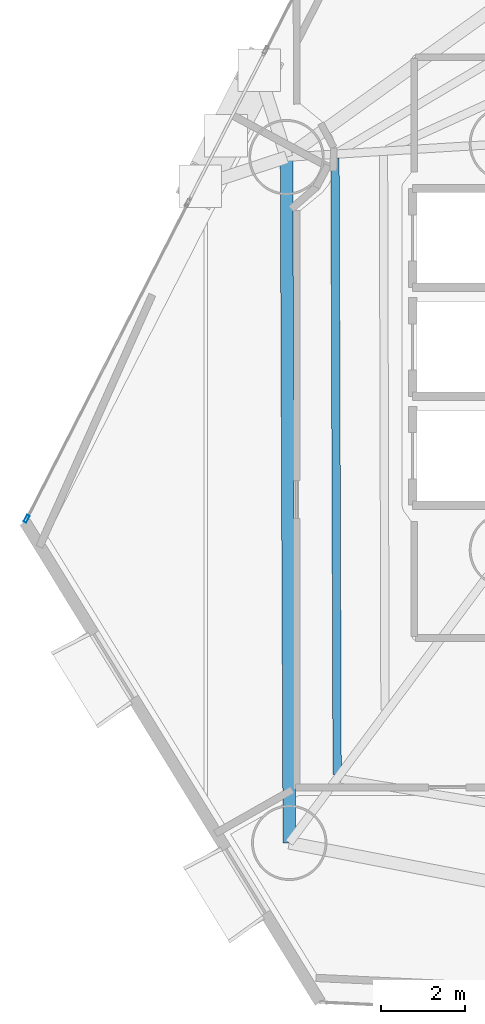
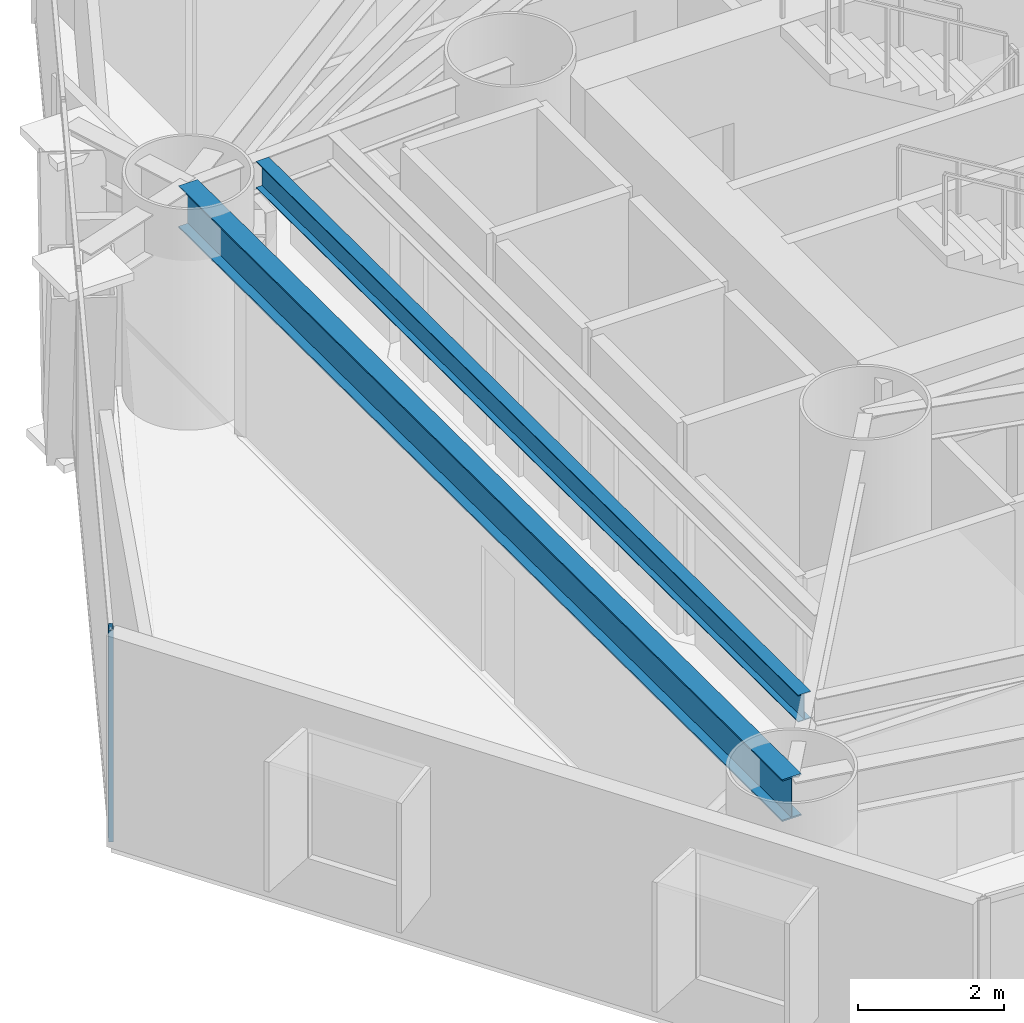
# One storey, part 3 of 23: 2 beams, 1 member, 1 element without a shape of its own.
"""IFC4 building model written with IfcOpenShell, lengths in metres."""

from ifc_helpers import new_model, si_unit, direction, frame, origin, origin_2d, place, context, subcontext, project, spatial, hollow_rectangle, i_section, extrude, material, layer, layer_set, material_profile, profile_set, type_object, element, aggregate, save


model = new_model("IFC4")

# Units and contexts
model_context = context("Model", 3, precision=1e-05, world=origin(), true_north=direction((0.0, 1.0)))
body_context = subcontext(model_context, "Body", "Model", "MODEL_VIEW")
ifc_project = project(units=[si_unit("LENGTHUNIT", "METRE"), si_unit("AREAUNIT", "SQUARE_METRE"), si_unit("VOLUMEUNIT", "CUBIC_METRE"), si_unit("PLANEANGLEUNIT", "RADIAN"), si_unit("MASSUNIT", "GRAM", prefix="KILO")], contexts=[model_context])

# Site, building, storey
site_placement = place(None, origin())
site = spatial("IfcSite", under=ifc_project, at=site_placement, CompositionType="ELEMENT")
building_placement = place(site_placement, origin())
building = spatial("IfcBuilding", under=site, at=building_placement, Name="Qianvela Tower", CompositionType="ELEMENT")
storey_placement = place(building_placement, frame((0.0, 0.0, 33.10009765625)))
storey = spatial("IfcBuildingStorey", under=building, at=storey_placement, Name="L07", CompositionType="ELEMENT", Elevation=33.10009765625)

# Beams
ifc_material_1 = material(Name="Steel Q355B", Category="steel")
ifc_material_profile_1 = material_profile(ifc_material_1, i_section(OverallWidth=0.199951171875, OverallDepth=0.449951171875, WebThickness=0.009033203125, FlangeThickness=0.013916015625, at=origin_2d()), Name="HN450x200x9x14")
ifc_profile_set_1 = profile_set([ifc_material_profile_1], Name="Steel Q355B")
beam_type_1 = type_object("IfcBeamType", Name="BM-HN450-JOIST", PredefinedType="JOIST", material=ifc_profile_set_1)
beam_1_placement = place(storey_placement, frame((24.49609375, 33.202880859375, 3.29296875), z_axis=(0.003452376186, -0.999994040532, 0.0), x_axis=(0.999994040532, 0.003452376186, 0.0)))
element("IfcBeam", 1, at=beam_1_placement, inside=storey, type_object=beam_type_1, Name="L07 Secondary Composite Floor Joist 4.3", PredefinedType="JOIST", context=body_context, shape_type="SweptSolid", body=[
    extrude(i_section(OverallWidth=0.199951171875, OverallDepth=0.449951171875, WebThickness=0.009033203125, FlangeThickness=0.013916015625, at=origin_2d()), origin(), (0.0, 0.0, 1.0), 14.708984375),
])
ifc_material_2 = material(Name="Steel Q355B", Category="steel")
ifc_material_profile_2 = material_profile(ifc_material_2, i_section(OverallWidth=0.300048828125, OverallDepth=0.699951171875, WebThickness=0.012939453125, FlangeThickness=0.02392578125, at=origin_2d()), Name="HN700x300x13x24")
ifc_profile_set_2 = profile_set([ifc_material_profile_2], Name="Steel Q355B")
beam_type_2 = type_object("IfcBeamType", Name="BM-HN700-SPAND", PredefinedType="SPANDREL", material=ifc_profile_set_2)
beam_2_placement = place(storey_placement, frame((23.337890625, 33.22802734375, 3.16796875), z_axis=(0.004042148861, -0.999991830483, 0.0), x_axis=(0.999991830483, 0.004042148861, 0.0)))
element("IfcBeam", 2, at=beam_2_placement, inside=storey, type_object=beam_type_2, Name="L07 Perimeter Ring Spandrel Girder 4", PredefinedType="SPANDREL", context=body_context, shape_type="SweptSolid", body=[
    extrude(i_section(OverallWidth=0.300048828125, OverallDepth=0.699951171875, WebThickness=0.012939453125, FlangeThickness=0.02392578125, at=origin_2d()), origin(), (0.0, 0.0, 1.0), 16.3681640625),
])

# Curtain wall, member
ifc_material_3 = material(Name="Anodised Architectural Aluminium and Low-E Glass", Category="aluminium")
ifc_layer = layer(ifc_material_3, 0.179931640625)
ifc_layer_set = layer_set([ifc_layer], Name="Anodised Architectural Aluminium and Low-E Glass")
curtain_wall_type = type_object("IfcCurtainWallType", Name="CW-COLIV-Z12", PredefinedType="USERDEFINED", material=ifc_layer_set)
curtain_wall_placement = place(storey_placement, origin())
curtain_wall = element("IfcCurtainWall", 3, at=curtain_wall_placement, inside=storey, type_object=curtain_wall_type, Name="L07 CW-COLIV-Z12 Curtain Wall 04C", ObjectType="CURTAIN_WALL_SYSTEM", PredefinedType="USERDEFINED")
ifc_material_4 = material(Name="Anodised Architectural Aluminium 6063-T6", Category="aluminium")
ifc_material_profile_3 = material_profile(ifc_material_4, hollow_rectangle(XDim=0.070068359375, YDim=0.179931640625, WallThickness=0.0048828125, at=origin_2d()), Name="ALU-MULL-70x180")
ifc_profile_set_3 = profile_set([ifc_material_profile_3], Name="Anodised Architectural Aluminium 6063-T6")
member_type = type_object("IfcMemberType", Name="CW-COLIV-Z12-MULL", PredefinedType="MULLION", material=ifc_profile_set_3)
member_placement = place(storey_placement, frame((17.13427734375, 24.59423828125, 0.0), z_axis=(0.0, 0.0, 1.0), x_axis=(0.890687775821, -0.454615536474, 0.0)))
member = element("IfcMember", 4, at=member_placement, type_object=member_type, Name="CW-3 mullion 2", PredefinedType="MULLION", context=body_context, shape_type="SweptSolid", body=[
    extrude(hollow_rectangle(XDim=0.070068359375, YDim=0.179931640625, WallThickness=0.0048828125, at=origin_2d()), origin(), (0.0, 0.0, 1.0), 3.52001953125),
])
aggregate(curtain_wall, [member])

save(model, "model.ifc")
